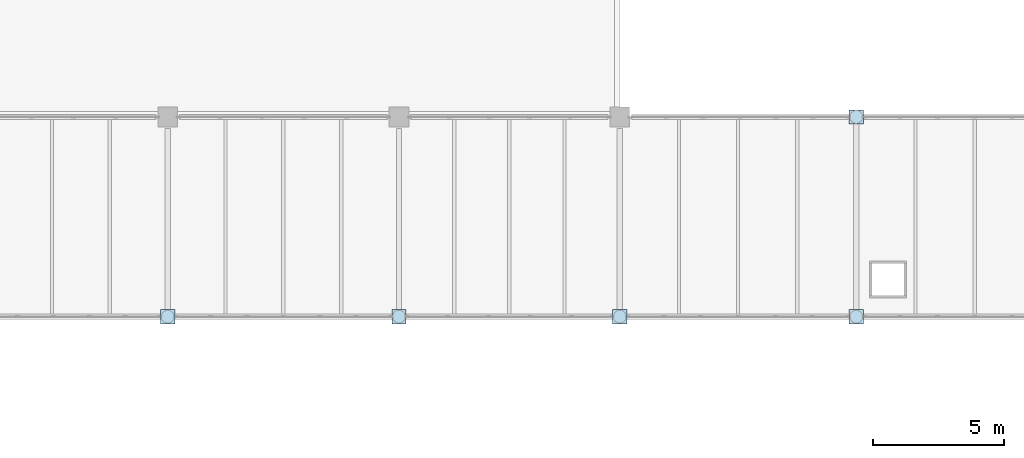
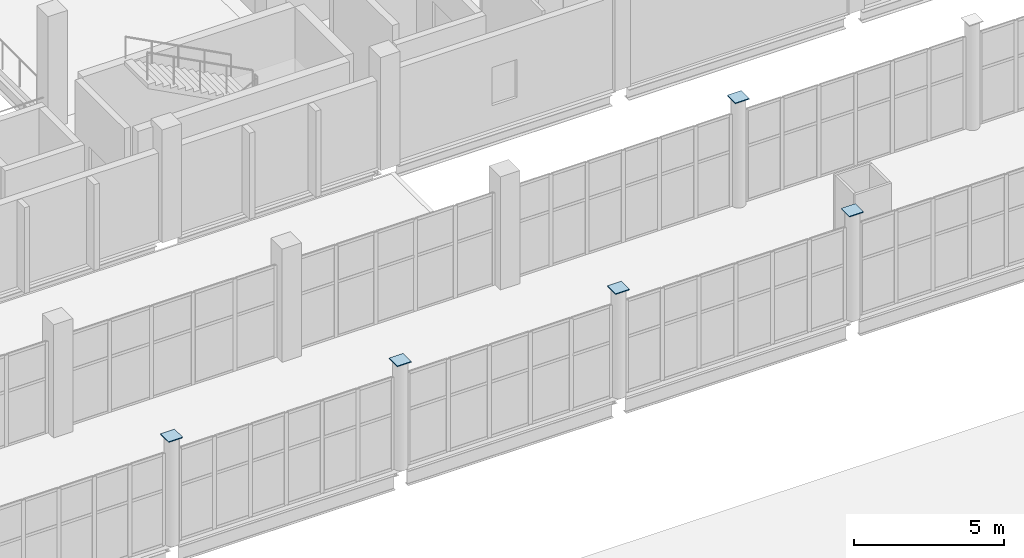
# One storey, part 113 of 136: 5 plates.
"""IFC4 building model written with IfcOpenShell, lengths in metres."""

from ifc_helpers import new_model, si_unit, direction, frame, origin, origin_2d, place, context, subcontext, project, spatial, rectangle, extrude, material, layer, layer_set, type_object, element, save


model = new_model("IFC4")

# Units and contexts
model_context = context("Model", 3, precision=1e-05, world=origin(), true_north=direction((0.0, 1.0)))
body_context = subcontext(model_context, "Body", "Model", "MODEL_VIEW")
ifc_project = project(units=[si_unit("LENGTHUNIT", "METRE"), si_unit("AREAUNIT", "SQUARE_METRE"), si_unit("VOLUMEUNIT", "CUBIC_METRE"), si_unit("PLANEANGLEUNIT", "RADIAN"), si_unit("MASSUNIT", "GRAM", prefix="KILO")], contexts=[model_context])

# Site, building, storey
site_placement = place(None, origin())
site = spatial("IfcSite", under=ifc_project, at=site_placement, CompositionType="ELEMENT")
building_placement = place(site_placement, origin())
building = spatial("IfcBuilding", under=site, at=building_placement, Name="Shengluoqiao Park Theatre", CompositionType="ELEMENT")
storey_placement = place(building_placement, frame((0.0, 0.0, 10.0)))
storey = spatial("IfcBuildingStorey", under=building, at=storey_placement, Name="L02", CompositionType="ELEMENT", Elevation=10.0)

# Plates
ifc_material = material(Name="Steel Q390", Category="steel")
ifc_layer = layer(ifc_material, 0.033935546875, Name="Steel Q390")
ifc_layer_set = layer_set([ifc_layer], Name="Steel Q390")
plate_type = type_object("IfcPlateType", Name="STR-PLT-EC-540", PredefinedType="SHEET", material=ifc_layer_set)
for number, where, z_axis, x_axis, name in (
    (1, (95.199951171875, 68.39990234375, 4.31884765625), (0.0, 0.0, 1.0), (1.0, 0.0, 0.0), "Hollow Column Top Cap Plate 00013"),
    (2, (104.0, 68.39990234375, 4.31884765625), (0.0, 0.0, 1.0), (1.0, 0.0, 0.0), "Hollow Column Top Cap Plate 00016"),
    (3, (112.39990234375, 68.39990234375, 4.31884765625), (0.0, 0.0, 1.0), (1.0, 0.0, 0.0), "Hollow Column Top Cap Plate 00019"),
    (4, (121.39990234375, 68.39990234375, 4.31884765625), (0.0, 0.0, 1.0), (1.0, 0.0, 0.0), "Hollow Column Top Cap Plate 00022"),
    (5, (121.39990234375, 76.0, 4.31884765625), (0.0, 0.0, 1.0), (1.0, 0.0, 0.0), "Hollow Column Top Cap Plate 00023"),
):
    element("IfcPlate", number, at=place(storey_placement, frame(where, z_axis=z_axis, x_axis=x_axis)), inside=storey, type_object=plate_type, Name=name, PredefinedType="SHEET", context=body_context, shape_type="SweptSolid", body=[
        extrude(rectangle(XDim=0.5400390625, YDim=0.5400390625, at=origin_2d()), origin(), (0.0, 0.0, 1.0), 0.033935546875),
    ])

save(model, "model.ifc")
